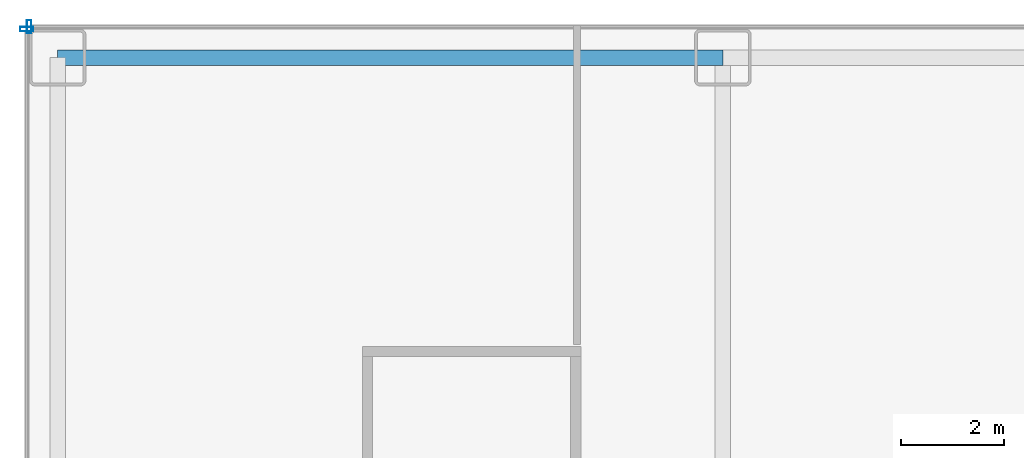
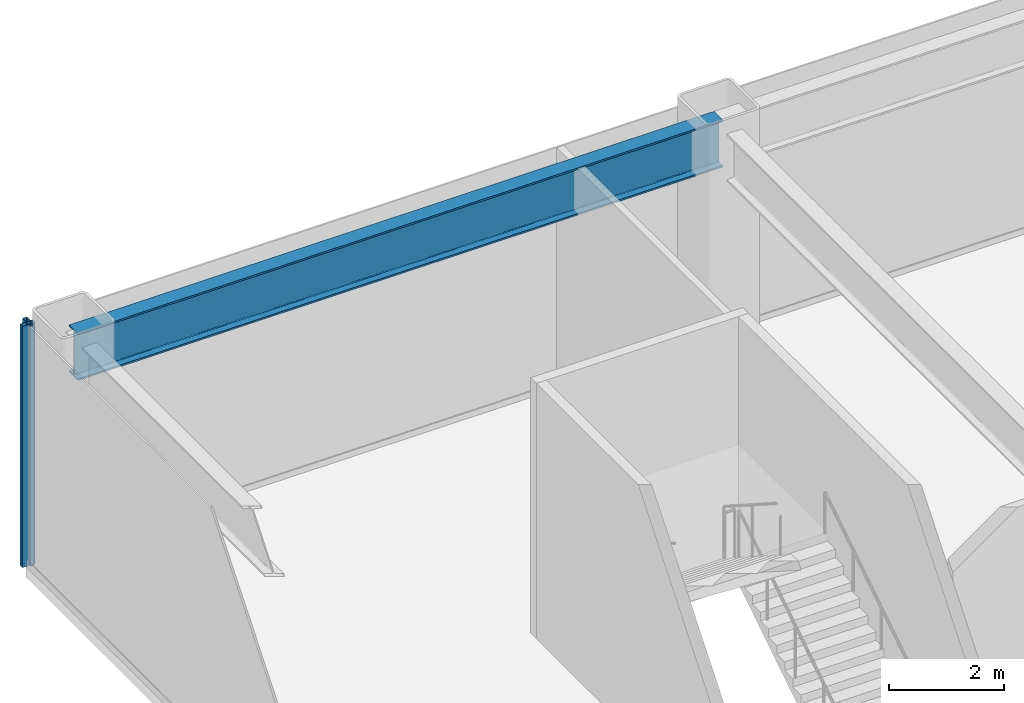
# One storey, part 8 of 24: 2 members, 1 beam, 2 elements without a shape of their own.
"""IFC4 building model written with IfcOpenShell, lengths in metres."""

from ifc_helpers import new_model, si_unit, direction, frame, origin, origin_2d, place, context, subcontext, project, spatial, hollow_rectangle, i_section, extrude, source, transform, mapped, material, layer, layer_set, material_profile, profile_set, type_object, element, aggregate, save


model = new_model("IFC4")

# Units and contexts
model_context = context("Model", 3, precision=1e-05, world=origin(), true_north=direction((0.0, 1.0)))
body_context = subcontext(model_context, "Body", "Model", "MODEL_VIEW")
ifc_project = project(units=[si_unit("LENGTHUNIT", "METRE"), si_unit("AREAUNIT", "SQUARE_METRE"), si_unit("VOLUMEUNIT", "CUBIC_METRE"), si_unit("PLANEANGLEUNIT", "RADIAN"), si_unit("MASSUNIT", "GRAM", prefix="KILO")], contexts=[model_context])

# Site, building, storey
site_placement = place(None, origin())
site = spatial("IfcSite", under=ifc_project, at=site_placement, CompositionType="ELEMENT")
building_placement = place(site_placement, origin())
building = spatial("IfcBuilding", under=site, at=building_placement, Name="Nefas-Gora Pilgrimage Tower", CompositionType="ELEMENT")
storey_placement = place(building_placement, frame((0.0, 0.0, 16.800048828125)))
storey = spatial("IfcBuildingStorey", under=building, at=storey_placement, Name="L03", CompositionType="ELEMENT", Elevation=16.800048828125)

# Beam
ifc_material_1 = material(Name="Steel S460", Category="steel")
ifc_material_profile_1 = material_profile(ifc_material_1, i_section(OverallWidth=0.300048828125, OverallDepth=1.0, WebThickness=0.01904296875, FlangeThickness=0.035888671875, FilletRadius=0.030029296875, at=origin_2d()), Name="HEB 1000")
ifc_profile_set_1 = profile_set([ifc_material_profile_1], Name="Steel S460")
beam_type = type_object("IfcBeamType", Name="BM-POD-HEB1000E", PredefinedType="BEAM", material=ifc_profile_set_1)
shared_shape_1 = source(origin(), body_context, "Body", "SweptSolid", [
    extrude(i_section(OverallWidth=0.300048828125, OverallDepth=1.0, WebThickness=0.01904296875, FlangeThickness=0.035888671875, FilletRadius=0.030029296875, at=origin_2d()), origin(), (0.0, 0.0, 1.0), 12.89990234375),
])
beam_placement = place(storey_placement, frame((-37.64990234375, 24.60009765625, 4.599853515625), z_axis=(1.0, 0.0, 0.0), x_axis=(0.0, 1.0, 0.0)))
element("IfcBeam", 1, at=beam_placement, inside=storey, type_object=beam_type, Name="L03 PG-01E beam", PredefinedType="BEAM", context=body_context, shape_type="MappedRepresentation", body=[
    mapped(shared_shape_1, transform((0.0, 0.0, 0.0), x_axis=(1.0, 0.0, 0.0), y_axis=(0.0, 1.0, 0.0), z_axis=(0.0, 0.0, 1.0), scale=1.0)),
])

# Curtain wall, member
ifc_material_2 = material(Name="Dark ceramic-fritted solar-control aluminium-glass curtain wall", Category="aluminium")
ifc_layer = layer(ifc_material_2, 0.219970703125)
ifc_layer_set = layer_set([ifc_layer], Name="Dark ceramic-fritted solar-control aluminium-glass curtain wall")
curtain_wall_type = type_object("IfcCurtainWallType", Name="CW-SYS-1", PredefinedType="NOTDEFINED", material=ifc_layer_set)
curtain_wall_1_placement = place(storey_placement, origin())
curtain_wall_1 = element("IfcCurtainWall", 2, at=curtain_wall_1_placement, inside=storey, type_object=curtain_wall_type, Name="L03 Unitised Curtain Wall CW1", PredefinedType="NOTDEFINED")
ifc_material_3 = material(Name="Anodised architectural aluminium", Category="aluminium")
ifc_material_profile_2 = material_profile(ifc_material_3, hollow_rectangle(XDim=0.090087890625, YDim=0.260009765625, WallThickness=0.006103515625, InnerFilletRadius=0.006103515625, OuterFilletRadius=0.011962890625, at=origin_2d()), Name="ALU MULLION 90x260")
ifc_profile_set_2 = profile_set([ifc_material_profile_2], Name="Anodised architectural aluminium")
member_type = type_object("IfcMemberType", Name="CWM-MUL-1", PredefinedType="MULLION", material=ifc_profile_set_2)
shared_shape_2 = source(origin(), body_context, "Body", "SweptSolid", [
    extrude(hollow_rectangle(XDim=0.090087890625, YDim=0.260009765625, WallThickness=0.006103515625, InnerFilletRadius=0.006103515625, OuterFilletRadius=0.011962890625, at=origin_2d()), origin(), (0.0, 0.0, 1.0), 5.099853515625),
])
member_1_placement = place(storey_placement, frame((-38.205078125, 25.199951171875, 0.0), z_axis=(0.0, 0.0, 1.0), x_axis=(-1.0, 0.0, 0.0)))
member_1 = element("IfcMember", 3, at=member_1_placement, type_object=member_type, Name="CW1 Mullion 3", PredefinedType="MULLION", context=body_context, shape_type="MappedRepresentation", body=[
    mapped(shared_shape_2, transform((0.0, 0.0, 0.0), x_axis=(1.0, 0.0, 0.0), y_axis=(0.0, 1.0, 0.0), z_axis=(0.0, 0.0, 1.0), scale=1.0)),
])
aggregate(curtain_wall_1, [member_1])

curtain_wall_2_placement = place(storey_placement, origin())
curtain_wall_2 = element("IfcCurtainWall", 4, at=curtain_wall_2_placement, inside=storey, type_object=curtain_wall_type, Name="L03 Unitised Curtain Wall CW1", PredefinedType="NOTDEFINED")
member_2_placement = place(storey_placement, frame((-38.25, 25.155029296875, 0.0), z_axis=(0.0, 0.0, 1.0), x_axis=(0.0, -1.0, 0.0)))
member_2 = element("IfcMember", 5, at=member_2_placement, type_object=member_type, Name="CW1 Mullion 1", PredefinedType="MULLION", context=body_context, shape_type="MappedRepresentation", body=[
    mapped(shared_shape_2, transform((0.0, 0.0, 0.0), x_axis=(1.0, 0.0, 0.0), y_axis=(0.0, 1.0, 0.0), z_axis=(0.0, 0.0, 1.0), scale=1.0)),
])
aggregate(curtain_wall_2, [member_2])

save(model, "model.ifc")
